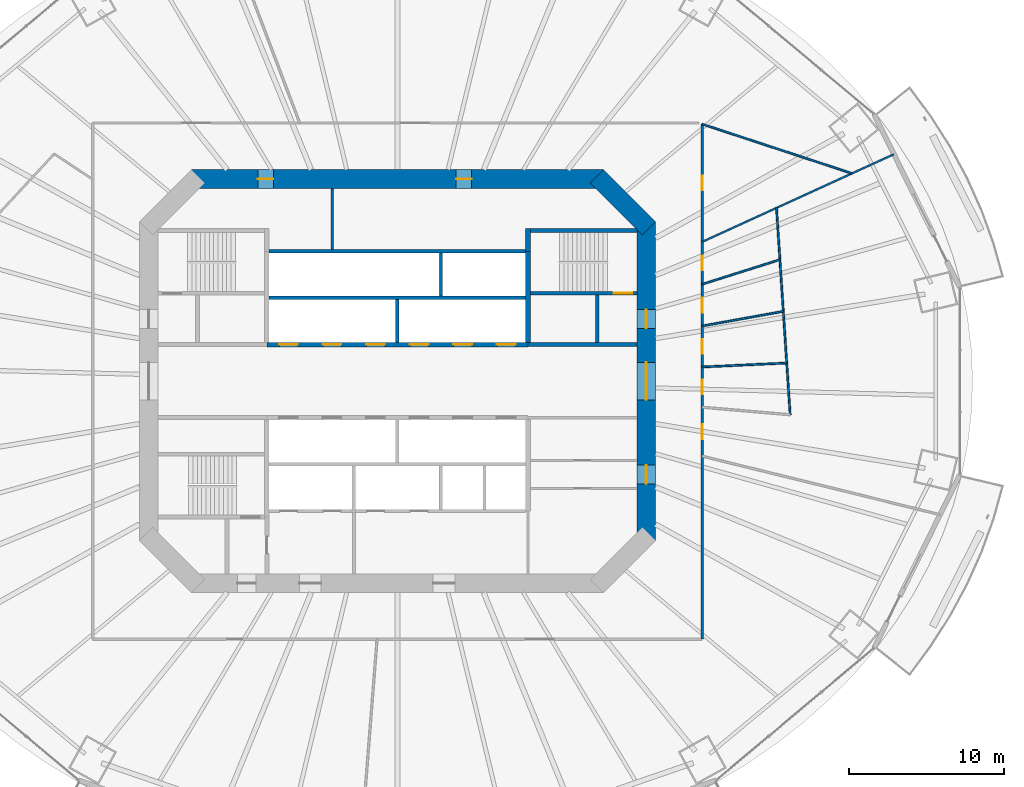
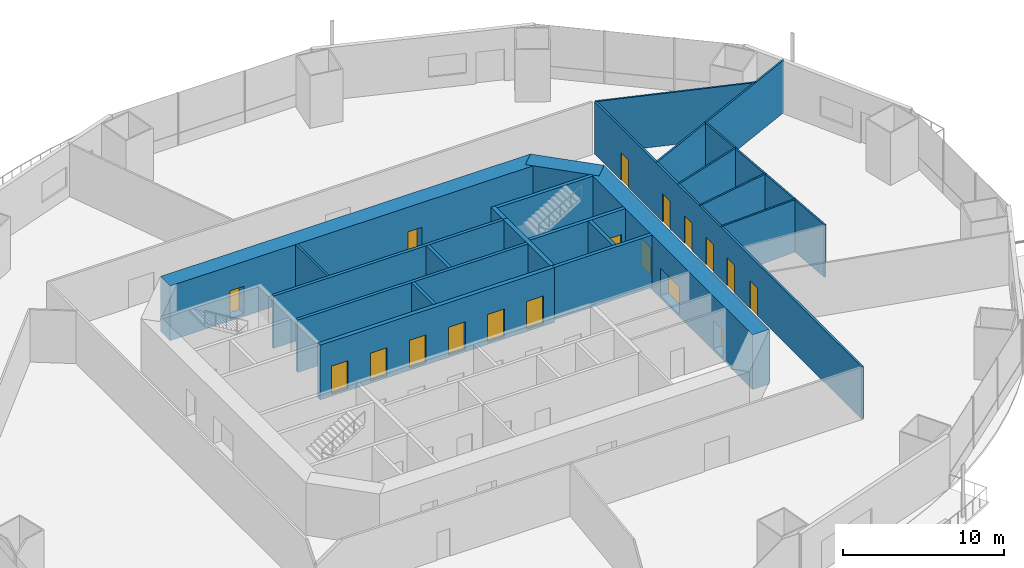
# One storey, part 16 of 23: 22 walls, 18 doors, 18 openings.
"""IFC4 building model written with IfcOpenShell, lengths in metres."""

from ifc_helpers import new_model, si_unit, direction, frame, frame_2d, origin, place, context, subcontext, project, spatial, rectangle, extrude, material, layer, layer_set, type_object, element, fill, save


model = new_model("IFC4")

# Units and contexts
model_context = context("Model", 3, precision=1e-05, world=origin(), true_north=direction((0.0, 1.0)))
body_context = subcontext(model_context, "Body", "Model", "MODEL_VIEW")
ifc_project = project(units=[si_unit("LENGTHUNIT", "METRE"), si_unit("AREAUNIT", "SQUARE_METRE"), si_unit("VOLUMEUNIT", "CUBIC_METRE"), si_unit("PLANEANGLEUNIT", "RADIAN"), si_unit("MASSUNIT", "GRAM", prefix="KILO")], contexts=[model_context])

# Site, building, storey
site_placement = place(None, origin())
site = spatial("IfcSite", under=ifc_project, at=site_placement, CompositionType="ELEMENT")
building_placement = place(site_placement, origin())
building = spatial("IfcBuilding", under=site, at=building_placement, Name="Marenthal Gate Tower", CompositionType="ELEMENT")
storey_placement = place(building_placement, frame((0.0, 0.0, 41.300048828125)))
storey = spatial("IfcBuildingStorey", under=building, at=storey_placement, Name="L06", CompositionType="ELEMENT", Elevation=41.300048828125)

# Wall, openings, doors
ifc_material_1 = material(Name="Concrete 60 MPa", Category="concrete")
ifc_layer_1 = layer(ifc_material_1, 1.199951171875)
ifc_layer_set_1 = layer_set([ifc_layer_1], Name="Core shear wall 1200")
wall_type_1 = type_object("IfcWallType", Name="Core shear wall 1200", PredefinedType="SHEAR", material=ifc_layer_set_1)
wall_1_placement = place(storey_placement, frame((16.0, -10.24853515625, -0.179931640625), z_axis=(0.0, 0.0, 1.0), x_axis=(0.0, 1.0, 0.0)))
wall_1 = element("IfcWall", 1, at=wall_1_placement, inside=storey, type_object=wall_type_1, Name="Core wall 02", PredefinedType="SHEAR", context=body_context, shape_type="SweptSolid", body=[
    extrude(rectangle(XDim=20.4970703125, YDim=1.199951171875, at=frame_2d((10.24853515625, 0.0))), origin(), (0.0, 0.0, 1.0), 4.14990234375),
])
opening_1_placement = place(wall_1_placement, frame((9.048583984375, 0.0, 0.179931640625)))
opening_1 = element("IfcOpeningElement", 2, at=opening_1_placement, cuts=wall_1, Name="Opening D003.02", PredefinedType="OPENING", context=body_context, shape_type="SweptSolid", body=[
    extrude(rectangle(XDim=2.39990234375, YDim=2.10009765625, at=frame_2d((1.199951171875, 1.050048828125))), frame((0.0, 0.60986328125, 0.0), z_axis=(0.0, -1.0, 0.0), x_axis=(1.0, 0.0, 0.0)), (0.0, 0.0, 1.0), 1.219970703125),
])
opening_2_placement = place(wall_1_placement, frame((13.6484375, 0.0, 0.179931640625)))
opening_2 = element("IfcOpeningElement", 3, at=opening_2_placement, cuts=wall_1, Name="Opening D001.05", PredefinedType="OPENING", context=body_context, shape_type="SweptSolid", body=[
    extrude(rectangle(XDim=1.199951171875, YDim=2.10009765625, at=frame_2d((0.60009765625, 1.050048828125))), frame((0.0, 0.60986328125, 0.0), z_axis=(0.0, -1.0, 0.0), x_axis=(1.0, 0.0, 0.0)), (0.0, 0.0, 1.0), 1.219970703125),
])
opening_3_placement = place(wall_1_placement, frame((3.6484375, 0.0, 0.179931640625)))
opening_3 = element("IfcOpeningElement", 4, at=opening_3_placement, cuts=wall_1, Name="Opening D006.01", PredefinedType="OPENING", context=body_context, shape_type="SweptSolid", body=[
    extrude(rectangle(XDim=1.199951171875, YDim=2.10009765625, at=frame_2d((0.60009765625, 1.050048828125))), frame((0.0, 0.60986328125, 0.0), z_axis=(0.0, -1.0, 0.0), x_axis=(1.0, 0.0, 0.0)), (0.0, 0.0, 1.0), 1.219970703125),
])
ifc_material_2 = material(Name="Steel fire door", Category="steel")
door_type_1 = type_object("IfcDoorType", Name="Double fire door FD 45 2400 x 2100", OperationType="DOUBLE_DOOR_SINGLE_SWING", PredefinedType="DOOR", material=ifc_material_2)
door_1_placement = place(opening_1_placement, origin())
door_1 = element("IfcDoor", 5, at=door_1_placement, inside=storey, type_object=door_type_1, Name="Door D003.02", OperationType="DOUBLE_DOOR_SINGLE_SWING", OverallHeight=2.10009765625, OverallWidth=2.39990234375, PredefinedType="DOOR", context=body_context, shape_type="SweptSolid", body=[
    extrude(rectangle(XDim=2.39990234375, YDim=2.10009765625, at=frame_2d((1.199951171875, 1.050048828125))), frame((0.0, 0.02490234375, 0.0), z_axis=(0.0, -1.0, 0.0), x_axis=(1.0, 0.0, 0.0)), (0.0, 0.0, 1.0), 0.050048828125),
])
fill(opening_1, door_1)
ifc_material_3 = material(Name="Steel fire door", Category="steel")
door_type_2 = type_object("IfcDoorType", Name="Fire door FD 45 1200 x 2100", OperationType="NOTDEFINED", PredefinedType="DOOR", material=ifc_material_3)
door_2_placement = place(opening_3_placement, origin())
door_2 = element("IfcDoor", 6, at=door_2_placement, inside=storey, type_object=door_type_2, Name="Door D006.01", OperationType="SINGLE_SWING_RIGHT", OverallHeight=2.10009765625, OverallWidth=1.199951171875, PredefinedType="DOOR", context=body_context, shape_type="SweptSolid", body=[
    extrude(rectangle(XDim=1.199951171875, YDim=2.10009765625, at=frame_2d((0.60009765625, 1.050048828125))), frame((0.0, 0.02490234375, 0.0), z_axis=(0.0, -1.0, 0.0), x_axis=(1.0, 0.0, 0.0)), (0.0, 0.0, 1.0), 0.050048828125),
])
fill(opening_3, door_2)
ifc_material_4 = material(Name="Steel fire door", Category="steel")
door_type_3 = type_object("IfcDoorType", Name="Fire door FD 90 1200 x 2100", OperationType="NOTDEFINED", PredefinedType="DOOR", material=ifc_material_4)
door_3_placement = place(opening_2_placement, origin())
door_3 = element("IfcDoor", 7, at=door_3_placement, inside=storey, type_object=door_type_3, Name="Door D001.05", OperationType="SINGLE_SWING_RIGHT", OverallHeight=2.10009765625, OverallWidth=1.199951171875, PredefinedType="DOOR", context=body_context, shape_type="SweptSolid", body=[
    extrude(rectangle(XDim=1.199951171875, YDim=2.10009765625, at=frame_2d((0.60009765625, 1.050048828125))), frame((0.0, 0.02490234375, 0.0), z_axis=(0.0, -1.0, 0.0), x_axis=(1.0, 0.0, 0.0)), (0.0, 0.0, 1.0), 0.050048828125),
])
fill(opening_2, door_3)

# Wall
wall_2_placement = place(storey_placement, frame((16.17578125, 9.82421875, -0.179931640625), z_axis=(0.0, 0.0, 1.0), x_axis=(-0.707106781187, 0.707106781187, 0.0)))
element("IfcWall", 8, at=wall_2_placement, inside=storey, type_object=wall_type_1, Name="Core wall 03", PredefinedType="SHEAR", context=body_context, shape_type="SweptSolid", body=[
    extrude(rectangle(XDim=4.73974609375, YDim=1.199951171875, at=frame_2d((2.369873046875, 0.0))), origin(), (0.0, 0.0, 1.0), 4.14990234375),
])

# Wall, openings, doors
wall_3_placement = place(storey_placement, frame((13.24853515625, 13.0, -0.179931640625), z_axis=(0.0, 0.0, 1.0), x_axis=(-1.0, 0.0, 0.0)))
wall_3 = element("IfcWall", 9, at=wall_3_placement, inside=storey, type_object=wall_type_1, Name="Core wall 04", PredefinedType="SHEAR", context=body_context, shape_type="SweptSolid", body=[
    extrude(rectangle(XDim=26.4970703125, YDim=1.199951171875, at=frame_2d((13.24853515625, 0.0))), origin(), (0.0, 0.0, 1.0), 4.14990234375),
])
opening_4_placement = place(wall_3_placement, frame((21.224609375, 0.0, 0.179931640625)))
opening_4 = element("IfcOpeningElement", 10, at=opening_4_placement, cuts=wall_3, Name="Opening D005.01", PredefinedType="OPENING", context=body_context, shape_type="SweptSolid", body=[
    extrude(rectangle(XDim=1.0, YDim=2.10009765625, at=frame_2d((0.5, 1.050048828125))), frame((0.0, 0.60986328125, 0.0), z_axis=(0.0, -1.0, 0.0), x_axis=(1.0, 0.0, 0.0)), (0.0, 0.0, 1.0), 1.219970703125),
])
opening_5_placement = place(wall_3_placement, frame((8.472412109375, 0.0, 0.179931640625)))
opening_5 = element("IfcOpeningElement", 11, at=opening_5_placement, cuts=wall_3, Name="Opening D005.02", PredefinedType="OPENING", context=body_context, shape_type="SweptSolid", body=[
    extrude(rectangle(XDim=1.0, YDim=2.10009765625, at=frame_2d((0.5, 1.050048828125))), frame((0.0, 0.60986328125, 0.0), z_axis=(0.0, -1.0, 0.0), x_axis=(1.0, 0.0, 0.0)), (0.0, 0.0, 1.0), 1.219970703125),
])
ifc_material_5 = material(Name="Steel fire door", Category="steel")
door_type_4 = type_object("IfcDoorType", Name="Fire door FD 45 1000 x 2100", OperationType="NOTDEFINED", PredefinedType="DOOR", material=ifc_material_5)
door_4_placement = place(opening_4_placement, origin())
door_4 = element("IfcDoor", 12, at=door_4_placement, inside=storey, type_object=door_type_4, Name="Door D005.01", OperationType="SINGLE_SWING_RIGHT", OverallHeight=2.10009765625, OverallWidth=1.0, PredefinedType="DOOR", context=body_context, shape_type="SweptSolid", body=[
    extrude(rectangle(XDim=1.0, YDim=2.10009765625, at=frame_2d((0.5, 1.050048828125))), frame((0.0, 0.02490234375, 0.0), z_axis=(0.0, -1.0, 0.0), x_axis=(1.0, 0.0, 0.0)), (0.0, 0.0, 1.0), 0.050048828125),
])
fill(opening_4, door_4)
door_5_placement = place(opening_5_placement, origin())
door_5 = element("IfcDoor", 13, at=door_5_placement, inside=storey, type_object=door_type_4, Name="Door D005.02", OperationType="SINGLE_SWING_RIGHT", OverallHeight=2.10009765625, OverallWidth=1.0, PredefinedType="DOOR", context=body_context, shape_type="SweptSolid", body=[
    extrude(rectangle(XDim=1.0, YDim=2.10009765625, at=frame_2d((0.5, 1.050048828125))), frame((0.0, 0.02490234375, 0.0), z_axis=(0.0, -1.0, 0.0), x_axis=(1.0, 0.0, 0.0)), (0.0, 0.0, 1.0), 0.050048828125),
])
fill(opening_5, door_5)

ifc_material_6 = material(Name="Concrete 50 MPa", Category="concrete")
ifc_layer_2 = layer(ifc_material_6, 0.300048828125)
ifc_layer_set_2 = layer_set([ifc_layer_2], Name="Hoistway shear wall 300")
wall_type_2 = type_object("IfcWallType", Name="Hoistway shear wall 300", PredefinedType="SHEAR", material=ifc_layer_set_2)
wall_4_placement = place(storey_placement, frame((-8.39990234375, 2.35009765625, -0.179931640625), z_axis=(0.0, 0.0, 1.0), x_axis=(1.0, 0.0, 0.0)))
wall_4 = element("IfcWall", 14, at=wall_4_placement, inside=storey, type_object=wall_type_2, Name="Hoistway wall 20", PredefinedType="SHEAR", context=body_context, shape_type="SweptSolid", body=[
    extrude(rectangle(XDim=16.7998046875, YDim=0.300048828125, at=frame_2d((8.39990234375, 0.0))), origin(), (0.0, 0.0, 1.0), 4.14990234375),
])
opening_6_placement = place(wall_4_placement, frame((0.800048828125, 0.0, 0.179931640625)))
opening_6 = element("IfcOpeningElement", 15, at=opening_6_placement, cuts=wall_4, Name="Opening LD-LP1", PredefinedType="OPENING", context=body_context, shape_type="SweptSolid", body=[
    extrude(rectangle(XDim=1.199951171875, YDim=2.10009765625, at=frame_2d((0.60009765625, 1.050048828125))), frame((0.0, 0.16015625, 0.0), z_axis=(0.0, -1.0, 0.0), x_axis=(1.0, 0.0, 0.0)), (0.0, 0.0, 1.0), 0.320068359375),
])
opening_7_placement = place(wall_4_placement, frame((3.60009765625, 0.0, 0.179931640625)))
opening_7 = element("IfcOpeningElement", 16, at=opening_7_placement, cuts=wall_4, Name="Opening LD-LP2", PredefinedType="OPENING", context=body_context, shape_type="SweptSolid", body=[
    extrude(rectangle(XDim=1.199951171875, YDim=2.10009765625, at=frame_2d((0.60009765625, 1.050048828125))), frame((0.0, 0.16015625, 0.0), z_axis=(0.0, -1.0, 0.0), x_axis=(1.0, 0.0, 0.0)), (0.0, 0.0, 1.0), 0.320068359375),
])
opening_8_placement = place(wall_4_placement, frame((6.39990234375, 0.0, 0.179931640625)))
opening_8 = element("IfcOpeningElement", 17, at=opening_8_placement, cuts=wall_4, Name="Opening LD-LP3", PredefinedType="OPENING", context=body_context, shape_type="SweptSolid", body=[
    extrude(rectangle(XDim=1.199951171875, YDim=2.10009765625, at=frame_2d((0.60009765625, 1.050048828125))), frame((0.0, 0.16015625, 0.0), z_axis=(0.0, -1.0, 0.0), x_axis=(1.0, 0.0, 0.0)), (0.0, 0.0, 1.0), 0.320068359375),
])
opening_9_placement = place(wall_4_placement, frame((9.199951171875, 0.0, 0.179931640625)))
opening_9 = element("IfcOpeningElement", 18, at=opening_9_placement, cuts=wall_4, Name="Opening LD-LP4", PredefinedType="OPENING", context=body_context, shape_type="SweptSolid", body=[
    extrude(rectangle(XDim=1.199951171875, YDim=2.10009765625, at=frame_2d((0.60009765625, 1.050048828125))), frame((0.0, 0.16015625, 0.0), z_axis=(0.0, -1.0, 0.0), x_axis=(1.0, 0.0, 0.0)), (0.0, 0.0, 1.0), 0.320068359375),
])
opening_10_placement = place(wall_4_placement, frame((12.0, 0.0, 0.179931640625)))
opening_10 = element("IfcOpeningElement", 19, at=opening_10_placement, cuts=wall_4, Name="Opening LD-LP5", PredefinedType="OPENING", context=body_context, shape_type="SweptSolid", body=[
    extrude(rectangle(XDim=1.199951171875, YDim=2.10009765625, at=frame_2d((0.60009765625, 1.050048828125))), frame((0.0, 0.16015625, 0.0), z_axis=(0.0, -1.0, 0.0), x_axis=(1.0, 0.0, 0.0)), (0.0, 0.0, 1.0), 0.320068359375),
])
opening_11_placement = place(wall_4_placement, frame((14.800048828125, 0.0, 0.179931640625)))
opening_11 = element("IfcOpeningElement", 20, at=opening_11_placement, cuts=wall_4, Name="Opening LD-LP6", PredefinedType="OPENING", context=body_context, shape_type="SweptSolid", body=[
    extrude(rectangle(XDim=1.199951171875, YDim=2.10009765625, at=frame_2d((0.60009765625, 1.050048828125))), frame((0.0, 0.16015625, 0.0), z_axis=(0.0, -1.0, 0.0), x_axis=(1.0, 0.0, 0.0)), (0.0, 0.0, 1.0), 0.320068359375),
])
ifc_material_7 = material(Name="Stainless steel sliding door", Category="steel")
door_type_5 = type_object("IfcDoorType", Name="Lift landing door FD 90 1200 x 2100", OperationType="DOUBLE_DOOR_SLIDING", PredefinedType="DOOR", material=ifc_material_7)
door_6_placement = place(opening_6_placement, origin())
door_6 = element("IfcDoor", 21, at=door_6_placement, inside=storey, type_object=door_type_5, Name="Lift landing door LP1", OperationType="DOUBLE_DOOR_SLIDING", OverallHeight=2.10009765625, OverallWidth=1.199951171875, PredefinedType="DOOR", context=body_context, shape_type="SweptSolid", body=[
    extrude(rectangle(XDim=1.199951171875, YDim=2.10009765625, at=frame_2d((0.60009765625, 1.050048828125))), frame((0.0, 0.02490234375, 0.0), z_axis=(0.0, -1.0, 0.0), x_axis=(1.0, 0.0, 0.0)), (0.0, 0.0, 1.0), 0.050048828125),
])
fill(opening_6, door_6)
door_7_placement = place(opening_7_placement, origin())
door_7 = element("IfcDoor", 22, at=door_7_placement, inside=storey, type_object=door_type_5, Name="Lift landing door LP2", OperationType="DOUBLE_DOOR_SLIDING", OverallHeight=2.10009765625, OverallWidth=1.199951171875, PredefinedType="DOOR", context=body_context, shape_type="SweptSolid", body=[
    extrude(rectangle(XDim=1.199951171875, YDim=2.10009765625, at=frame_2d((0.60009765625, 1.050048828125))), frame((0.0, 0.02490234375, 0.0), z_axis=(0.0, -1.0, 0.0), x_axis=(1.0, 0.0, 0.0)), (0.0, 0.0, 1.0), 0.050048828125),
])
fill(opening_7, door_7)
door_8_placement = place(opening_8_placement, origin())
door_8 = element("IfcDoor", 23, at=door_8_placement, inside=storey, type_object=door_type_5, Name="Lift landing door LP3", OperationType="DOUBLE_DOOR_SLIDING", OverallHeight=2.10009765625, OverallWidth=1.199951171875, PredefinedType="DOOR", context=body_context, shape_type="SweptSolid", body=[
    extrude(rectangle(XDim=1.199951171875, YDim=2.10009765625, at=frame_2d((0.60009765625, 1.050048828125))), frame((0.0, 0.02490234375, 0.0), z_axis=(0.0, -1.0, 0.0), x_axis=(1.0, 0.0, 0.0)), (0.0, 0.0, 1.0), 0.050048828125),
])
fill(opening_8, door_8)
door_9_placement = place(opening_9_placement, origin())
door_9 = element("IfcDoor", 24, at=door_9_placement, inside=storey, type_object=door_type_5, Name="Lift landing door LP4", OperationType="DOUBLE_DOOR_SLIDING", OverallHeight=2.10009765625, OverallWidth=1.199951171875, PredefinedType="DOOR", context=body_context, shape_type="SweptSolid", body=[
    extrude(rectangle(XDim=1.199951171875, YDim=2.10009765625, at=frame_2d((0.60009765625, 1.050048828125))), frame((0.0, 0.02490234375, 0.0), z_axis=(0.0, -1.0, 0.0), x_axis=(1.0, 0.0, 0.0)), (0.0, 0.0, 1.0), 0.050048828125),
])
fill(opening_9, door_9)
door_10_placement = place(opening_10_placement, origin())
door_10 = element("IfcDoor", 25, at=door_10_placement, inside=storey, type_object=door_type_5, Name="Lift landing door LP5", OperationType="DOUBLE_DOOR_SLIDING", OverallHeight=2.10009765625, OverallWidth=1.199951171875, PredefinedType="DOOR", context=body_context, shape_type="SweptSolid", body=[
    extrude(rectangle(XDim=1.199951171875, YDim=2.10009765625, at=frame_2d((0.60009765625, 1.050048828125))), frame((0.0, 0.02490234375, 0.0), z_axis=(0.0, -1.0, 0.0), x_axis=(1.0, 0.0, 0.0)), (0.0, 0.0, 1.0), 0.050048828125),
])
fill(opening_10, door_10)
door_11_placement = place(opening_11_placement, origin())
door_11 = element("IfcDoor", 26, at=door_11_placement, inside=storey, type_object=door_type_5, Name="Lift landing door LP6", OperationType="DOUBLE_DOOR_SLIDING", OverallHeight=2.10009765625, OverallWidth=1.199951171875, PredefinedType="DOOR", context=body_context, shape_type="SweptSolid", body=[
    extrude(rectangle(XDim=1.199951171875, YDim=2.10009765625, at=frame_2d((0.60009765625, 1.050048828125))), frame((0.0, 0.02490234375, 0.0), z_axis=(0.0, -1.0, 0.0), x_axis=(1.0, 0.0, 0.0)), (0.0, 0.0, 1.0), 0.050048828125),
])
fill(opening_11, door_11)

# Walls
wall_5_placement = place(storey_placement, frame((8.39990234375, 2.5, -0.179931640625), z_axis=(0.0, 0.0, 1.0), x_axis=(0.0, 1.0, 0.0)))
element("IfcWall", 27, at=wall_5_placement, inside=storey, type_object=wall_type_2, Name="Hoistway wall 44", PredefinedType="SHEAR", context=body_context, shape_type="SweptSolid", body=[
    extrude(rectangle(XDim=5.85009765625, YDim=0.300048828125, at=frame_2d((2.925048828125, 0.0))), origin(), (0.0, 0.0, 1.0), 4.14990234375),
])
ifc_material_8 = material(Name="Concrete 40 MPa", Category="concrete")
ifc_layer_3 = layer(ifc_material_8, 0.219970703125)
ifc_layer_set_3 = layer_set([ifc_layer_3], Name="Hoistway wall 220")
wall_type_3 = type_object("IfcWallType", Name="Hoistway wall 220", PredefinedType="STANDARD", material=ifc_layer_set_3)
for number, where, z_axis, x_axis, name in (
    (28, (-8.25, 5.35009765625, 0.0), (0.0, 0.0, 1.0), (1.0, 0.0, 0.0), "Hoistway wall 22"),
    (29, (-8.25, 8.35009765625, 0.0), (0.0, 0.0, 1.0), (1.0, 0.0, 0.0), "Hoistway wall 25"),
):
    element("IfcWall", number, at=place(storey_placement, frame(where, z_axis=z_axis, x_axis=x_axis)), inside=storey, type_object=wall_type_3, Name=name, PredefinedType="STANDARD", context=body_context, shape_type="SweptSolid", body=[
        extrude(rectangle(XDim=16.5, YDim=0.219970703125, at=frame_2d((8.25, 0.0))), origin(), (0.0, 0.0, 1.0), 3.969970703125),
    ])
wall_6_placement = place(storey_placement, frame((0.0, 2.5, 0.0), z_axis=(0.0, 0.0, 1.0), x_axis=(0.0, 1.0, 0.0)))
element("IfcWall", 30, at=wall_6_placement, inside=storey, type_object=wall_type_3, Name="Hoistway wall 38", PredefinedType="STANDARD", context=body_context, shape_type="SweptSolid", body=[
    extrude(rectangle(XDim=2.739990234375, YDim=0.219970703125, at=frame_2d((1.3701171875, 0.0))), origin(), (0.0, 0.0, 1.0), 3.969970703125),
])
wall_7_placement = place(storey_placement, frame((2.800048828125, 5.4599609375, 0.0), z_axis=(0.0, 0.0, 1.0), x_axis=(0.0, 1.0, 0.0)))
element("IfcWall", 31, at=wall_7_placement, inside=storey, type_object=wall_type_3, Name="Hoistway wall 40", PredefinedType="STANDARD", context=body_context, shape_type="SweptSolid", body=[
    extrude(rectangle(XDim=2.780029296875, YDim=0.219970703125, at=frame_2d((1.39013671875, 0.0))), origin(), (0.0, 0.0, 1.0), 3.969970703125),
])
ifc_material_9 = material(Name="Gypsum board on steel studs", Category="steel")
ifc_layer_4 = layer(ifc_material_9, 0.1201171875)
ifc_layer_set_4 = layer_set([ifc_layer_4], Name="Partition 120")
wall_type_4 = type_object("IfcWallType", Name="Partition 120", PredefinedType="PARTITIONING", material=ifc_layer_set_4)
wall_8_placement = place(storey_placement, frame((19.60009765625, 8.95703125, 0.0), z_axis=(0.0, 0.0, 1.0), x_axis=(0.909522905178, 0.415653804213, 0.0)))
element("IfcWall", 32, at=wall_8_placement, inside=storey, type_object=wall_type_4, Name="Partition wall 56", PredefinedType="PARTITIONING", context=body_context, shape_type="SweptSolid", body=[
    extrude(rectangle(XDim=13.559326171875, YDim=0.1201171875, at=frame_2d((6.77978515625, 0.0))), origin(), (0.0, 0.0, 1.0), 3.969970703125),
])
wall_9_placement = place(storey_placement, frame((24.599609375, 7.8154296875, 0.0), z_axis=(0.0, 0.0, 1.0), x_axis=(-0.95305649374, -0.302792535808, 0.0)))
element("IfcWall", 33, at=wall_9_placement, inside=storey, type_object=wall_type_4, Name="Partition wall 58", PredefinedType="PARTITIONING", context=body_context, shape_type="SweptSolid", body=[
    extrude(rectangle(XDim=5.245849609375, YDim=0.1201171875, at=frame_2d((2.623046875, 0.0))), origin(), (0.0, 0.0, 1.0), 3.969970703125),
])
wall_10_placement = place(storey_placement, frame((24.8193359375, 4.48974609375, 0.0), z_axis=(0.0, 0.0, 1.0), x_axis=(-0.984022736167, -0.178042845144, 0.0)))
element("IfcWall", 34, at=wall_10_placement, inside=storey, type_object=wall_type_4, Name="Partition wall 59", PredefinedType="PARTITIONING", context=body_context, shape_type="SweptSolid", body=[
    extrude(rectangle(XDim=5.303955078125, YDim=0.1201171875, at=frame_2d((2.65185546875, 0.0))), origin(), (0.0, 0.0, 1.0), 3.969970703125),
])
wall_11_placement = place(storey_placement, frame((25.0390625, 1.163818359375, 0.0), z_axis=(0.0, 0.0, 1.0), x_axis=(-0.998922552869, -0.046408332984, 0.0)))
element("IfcWall", 35, at=wall_11_placement, inside=storey, type_object=wall_type_4, Name="Partition wall 60", PredefinedType="PARTITIONING", context=body_context, shape_type="SweptSolid", body=[
    extrude(rectangle(XDim=5.44482421875, YDim=0.1201171875, at=frame_2d((2.722412109375, 0.0))), origin(), (0.0, 0.0, 1.0), 3.969970703125),
])
wall_12_placement = place(storey_placement, frame((25.2587890625, -2.161865234375, 0.0), z_axis=(0.0, 0.0, 1.0), x_axis=(-0.065941683727, 0.997823478551, 0.0)))
element("IfcWall", 36, at=wall_12_placement, inside=storey, type_object=wall_type_4, Name="Partition wall 61", PredefinedType="PARTITIONING", context=body_context, shape_type="SweptSolid", body=[
    extrude(rectangle(XDim=13.332275390625, YDim=0.1201171875, at=frame_2d((6.666015625, 0.0))), origin(), (0.0, 0.0, 1.0), 3.969970703125),
])
wall_13_placement = place(storey_placement, frame((29.233154296875, 13.359130859375, 0.0), z_axis=(0.0, 0.0, 1.0), x_axis=(-0.949784766096, 0.312903975834, 0.0)))
element("IfcWall", 37, at=wall_13_placement, inside=storey, type_object=wall_type_4, Name="Partition wall 63", PredefinedType="PARTITIONING", context=body_context, shape_type="SweptSolid", body=[
    extrude(rectangle(XDim=10.142333984375, YDim=0.1201171875, at=frame_2d((5.0712890625, 0.0))), origin(), (0.0, 0.0, 1.0), 3.969970703125),
])
ifc_material_10 = material(Name="Gypsum board on steel studs", Category="steel")
ifc_layer_5 = layer(ifc_material_10, 0.14990234375)
ifc_layer_set_5 = layer_set([ifc_layer_5], Name="Partition 150")
wall_type_5 = type_object("IfcWallType", Name="Partition 150", PredefinedType="PARTITIONING", material=ifc_layer_set_5)
wall_14_placement = place(storey_placement, frame((-4.199951171875, 8.4599609375, 0.0), z_axis=(0.0, 0.0, 1.0), x_axis=(0.0, 1.0, 0.0)))
element("IfcWall", 38, at=wall_14_placement, inside=storey, type_object=wall_type_5, Name="Partition wall 34", PredefinedType="PARTITIONING", context=body_context, shape_type="SweptSolid", body=[
    extrude(rectangle(XDim=3.93994140625, YDim=0.14990234375, at=frame_2d((1.969970703125, 0.0))), origin(), (0.0, 0.0, 1.0), 3.969970703125),
])

# Wall, openings, doors
wall_15_placement = place(storey_placement, frame((19.60009765625, 16.53271484375, 0.0), z_axis=(0.0, 0.0, 1.0), x_axis=(0.0, -1.0, 0.0)))
wall_15 = element("IfcWall", 39, at=wall_15_placement, inside=storey, type_object=wall_type_5, Name="Partition wall 57", PredefinedType="PARTITIONING", context=body_context, shape_type="SweptSolid", body=[
    extrude(rectangle(XDim=33.1328125, YDim=0.14990234375, at=frame_2d((16.56640625, 0.0))), origin(), (0.0, 0.0, 1.0), 3.969970703125),
])
opening_12_placement = place(wall_15_placement, frame((3.31298828125, 0.0, 0.0)))
opening_12 = element("IfcOpeningElement", 40, at=opening_12_placement, cuts=wall_15, Name="Opening D016.01", PredefinedType="OPENING", context=body_context, shape_type="SweptSolid", body=[
    extrude(rectangle(XDim=0.949951171875, YDim=2.10009765625, at=frame_2d((0.47509765625, 1.050048828125))), frame((0.0, 0.0849609375, 0.0), z_axis=(0.0, -1.0, 0.0), x_axis=(1.0, 0.0, 0.0)), (0.0, 0.0, 1.0), 0.169921875),
])
opening_13_placement = place(wall_15_placement, frame((16.44091796875, 0.0, 0.0)))
opening_13 = element("IfcOpeningElement", 41, at=opening_13_placement, cuts=wall_15, Name="Opening D016.03", PredefinedType="OPENING", context=body_context, shape_type="SweptSolid", body=[
    extrude(rectangle(XDim=0.949951171875, YDim=2.10009765625, at=frame_2d((0.47509765625, 1.050048828125))), frame((0.0, 0.0849609375, 0.0), z_axis=(0.0, -1.0, 0.0), x_axis=(1.0, 0.0, 0.0)), (0.0, 0.0, 1.0), 0.169921875),
])
opening_14_placement = place(wall_15_placement, frame((13.8291015625, 0.0, 0.0)))
opening_14 = element("IfcOpeningElement", 42, at=opening_14_placement, cuts=wall_15, Name="Opening D016.04", PredefinedType="OPENING", context=body_context, shape_type="SweptSolid", body=[
    extrude(rectangle(XDim=0.949951171875, YDim=2.10009765625, at=frame_2d((0.47509765625, 1.050048828125))), frame((0.0, 0.0849609375, 0.0), z_axis=(0.0, -1.0, 0.0), x_axis=(1.0, 0.0, 0.0)), (0.0, 0.0, 1.0), 0.169921875),
])
opening_15_placement = place(wall_15_placement, frame((11.1708984375, 0.0, 0.0)))
opening_15 = element("IfcOpeningElement", 43, at=opening_15_placement, cuts=wall_15, Name="Opening D016.05", PredefinedType="OPENING", context=body_context, shape_type="SweptSolid", body=[
    extrude(rectangle(XDim=0.949951171875, YDim=2.10009765625, at=frame_2d((0.47509765625, 1.050048828125))), frame((0.0, 0.0849609375, 0.0), z_axis=(0.0, -1.0, 0.0), x_axis=(1.0, 0.0, 0.0)), (0.0, 0.0, 1.0), 0.169921875),
])
opening_16_placement = place(wall_15_placement, frame((8.466064453125, 0.0, 0.0)))
opening_16 = element("IfcOpeningElement", 44, at=opening_16_placement, cuts=wall_15, Name="Opening D016.06", PredefinedType="OPENING", context=body_context, shape_type="SweptSolid", body=[
    extrude(rectangle(XDim=0.949951171875, YDim=2.10009765625, at=frame_2d((0.47509765625, 1.050048828125))), frame((0.0, 0.0849609375, 0.0), z_axis=(0.0, -1.0, 0.0), x_axis=(1.0, 0.0, 0.0)), (0.0, 0.0, 1.0), 0.169921875),
])
opening_17_placement = place(wall_15_placement, frame((19.30810546875, 0.0, 0.0)))
opening_17 = element("IfcOpeningElement", 45, at=opening_17_placement, cuts=wall_15, Name="Opening D016.07", PredefinedType="OPENING", context=body_context, shape_type="SweptSolid", body=[
    extrude(rectangle(XDim=0.949951171875, YDim=2.10009765625, at=frame_2d((0.47509765625, 1.050048828125))), frame((0.0, 0.0849609375, 0.0), z_axis=(0.0, -1.0, 0.0), x_axis=(1.0, 0.0, 0.0)), (0.0, 0.0, 1.0), 0.169921875),
])
ifc_material_11 = material(Name="Timber door", Category="wood")
door_type_6 = type_object("IfcDoorType", Name="Door 950 x 2100", OperationType="NOTDEFINED", PredefinedType="DOOR", material=ifc_material_11)
door_12_placement = place(opening_12_placement, origin())
door_12 = element("IfcDoor", 46, at=door_12_placement, inside=storey, type_object=door_type_6, Name="Door D016.01", OperationType="SINGLE_SWING_RIGHT", OverallHeight=2.10009765625, OverallWidth=0.949951171875, PredefinedType="DOOR", context=body_context, shape_type="SweptSolid", body=[
    extrude(rectangle(XDim=0.949951171875, YDim=2.10009765625, at=frame_2d((0.47509765625, 1.050048828125))), frame((0.0, 0.02490234375, 0.0), z_axis=(0.0, -1.0, 0.0), x_axis=(1.0, 0.0, 0.0)), (0.0, 0.0, 1.0), 0.050048828125),
])
fill(opening_12, door_12)
door_13_placement = place(opening_13_placement, origin())
door_13 = element("IfcDoor", 47, at=door_13_placement, inside=storey, type_object=door_type_6, Name="Door D016.03", OperationType="SINGLE_SWING_RIGHT", OverallHeight=2.10009765625, OverallWidth=0.949951171875, PredefinedType="DOOR", context=body_context, shape_type="SweptSolid", body=[
    extrude(rectangle(XDim=0.949951171875, YDim=2.10009765625, at=frame_2d((0.47509765625, 1.050048828125))), frame((0.0, 0.02490234375, 0.0), z_axis=(0.0, -1.0, 0.0), x_axis=(1.0, 0.0, 0.0)), (0.0, 0.0, 1.0), 0.050048828125),
])
fill(opening_13, door_13)
door_14_placement = place(opening_14_placement, origin())
door_14 = element("IfcDoor", 48, at=door_14_placement, inside=storey, type_object=door_type_6, Name="Door D016.04", OperationType="SINGLE_SWING_RIGHT", OverallHeight=2.10009765625, OverallWidth=0.949951171875, PredefinedType="DOOR", context=body_context, shape_type="SweptSolid", body=[
    extrude(rectangle(XDim=0.949951171875, YDim=2.10009765625, at=frame_2d((0.47509765625, 1.050048828125))), frame((0.0, 0.02490234375, 0.0), z_axis=(0.0, -1.0, 0.0), x_axis=(1.0, 0.0, 0.0)), (0.0, 0.0, 1.0), 0.050048828125),
])
fill(opening_14, door_14)
door_15_placement = place(opening_15_placement, origin())
door_15 = element("IfcDoor", 49, at=door_15_placement, inside=storey, type_object=door_type_6, Name="Door D016.05", OperationType="SINGLE_SWING_RIGHT", OverallHeight=2.10009765625, OverallWidth=0.949951171875, PredefinedType="DOOR", context=body_context, shape_type="SweptSolid", body=[
    extrude(rectangle(XDim=0.949951171875, YDim=2.10009765625, at=frame_2d((0.47509765625, 1.050048828125))), frame((0.0, 0.02490234375, 0.0), z_axis=(0.0, -1.0, 0.0), x_axis=(1.0, 0.0, 0.0)), (0.0, 0.0, 1.0), 0.050048828125),
])
fill(opening_15, door_15)
door_16_placement = place(opening_16_placement, origin())
door_16 = element("IfcDoor", 50, at=door_16_placement, inside=storey, type_object=door_type_6, Name="Door D016.06", OperationType="SINGLE_SWING_RIGHT", OverallHeight=2.10009765625, OverallWidth=0.949951171875, PredefinedType="DOOR", context=body_context, shape_type="SweptSolid", body=[
    extrude(rectangle(XDim=0.949951171875, YDim=2.10009765625, at=frame_2d((0.47509765625, 1.050048828125))), frame((0.0, 0.02490234375, 0.0), z_axis=(0.0, -1.0, 0.0), x_axis=(1.0, 0.0, 0.0)), (0.0, 0.0, 1.0), 0.050048828125),
])
fill(opening_16, door_16)
door_17_placement = place(opening_17_placement, origin())
door_17 = element("IfcDoor", 51, at=door_17_placement, inside=storey, type_object=door_type_6, Name="Door D016.07", OperationType="SINGLE_SWING_RIGHT", OverallHeight=2.10009765625, OverallWidth=0.949951171875, PredefinedType="DOOR", context=body_context, shape_type="SweptSolid", body=[
    extrude(rectangle(XDim=0.949951171875, YDim=2.10009765625, at=frame_2d((0.47509765625, 1.050048828125))), frame((0.0, 0.02490234375, 0.0), z_axis=(0.0, -1.0, 0.0), x_axis=(1.0, 0.0, 0.0)), (0.0, 0.0, 1.0), 0.050048828125),
])
fill(opening_17, door_17)

# Walls
ifc_material_12 = material(Name="Concrete 40 MPa", Category="concrete")
ifc_layer_6 = layer(ifc_material_12, 0.25)
ifc_layer_set_6 = layer_set([ifc_layer_6], Name="Stair enclosure wall 250")
wall_type_6 = type_object("IfcWallType", Name="Stair enclosure wall 250", PredefinedType="STANDARD", material=ifc_layer_set_6)
wall_16_placement = place(storey_placement, frame((8.39990234375, 2.35009765625, 0.0), z_axis=(0.0, 0.0, 1.0), x_axis=(1.0, 0.0, 0.0)))
element("IfcWall", 52, at=wall_16_placement, inside=storey, type_object=wall_type_6, Name="Stair wall 21", PredefinedType="STANDARD", context=body_context, shape_type="SweptSolid", body=[
    extrude(rectangle(XDim=7.0, YDim=0.25, at=frame_2d((3.5, 0.0))), origin(), (0.0, 0.0, 1.0), 3.969970703125),
])
wall_17_placement = place(storey_placement, frame((12.85009765625, 2.47509765625, 0.0), z_axis=(0.0, 0.0, 1.0), x_axis=(0.0, 1.0, 0.0)))
element("IfcWall", 53, at=wall_17_placement, inside=storey, type_object=wall_type_6, Name="Stair wall 46", PredefinedType="STANDARD", context=body_context, shape_type="SweptSolid", body=[
    extrude(rectangle(XDim=3.0498046875, YDim=0.25, at=frame_2d((1.52490234375, 0.0))), origin(), (0.0, 0.0, 1.0), 3.969970703125),
])

# Wall, opening, door
ifc_material_13 = material(Name="Concrete 50 MPa", Category="concrete")
ifc_layer_7 = layer(ifc_material_13, 0.25)
ifc_layer_set_7 = layer_set([ifc_layer_7], Name="Stair shear wall 250")
wall_type_7 = type_object("IfcWallType", Name="Stair shear wall 250", PredefinedType="SHEAR", material=ifc_layer_set_7)
wall_18_placement = place(storey_placement, frame((8.550048828125, 5.64990234375, -0.179931640625), z_axis=(0.0, 0.0, 1.0), x_axis=(1.0, 0.0, 0.0)))
wall_18 = element("IfcWall", 54, at=wall_18_placement, inside=storey, type_object=wall_type_7, Name="Stair wall 24", PredefinedType="SHEAR", context=body_context, shape_type="SweptSolid", body=[
    extrude(rectangle(XDim=6.849853515625, YDim=0.25, at=frame_2d((3.4248046875, 0.0))), origin(), (0.0, 0.0, 1.0), 4.14990234375),
])
opening_18_placement = place(wall_18_placement, frame((5.35009765625, 0.0, 0.179931640625)))
opening_18 = element("IfcOpeningElement", 55, at=opening_18_placement, cuts=wall_18, Name="Opening D001.02", PredefinedType="OPENING", context=body_context, shape_type="SweptSolid", body=[
    extrude(rectangle(XDim=1.199951171875, YDim=2.10009765625, at=frame_2d((0.60009765625, 1.050048828125))), frame((0.0, 0.135009765625, 0.0), z_axis=(0.0, -1.0, 0.0), x_axis=(1.0, 0.0, 0.0)), (0.0, 0.0, 1.0), 0.27001953125),
])
door_18_placement = place(opening_18_placement, origin())
door_18 = element("IfcDoor", 56, at=door_18_placement, inside=storey, type_object=door_type_3, Name="Door D001.02", OperationType="SINGLE_SWING_RIGHT", OverallHeight=2.10009765625, OverallWidth=1.199951171875, PredefinedType="DOOR", context=body_context, shape_type="SweptSolid", body=[
    extrude(rectangle(XDim=1.199951171875, YDim=2.10009765625, at=frame_2d((0.60009765625, 1.050048828125))), frame((0.0, 0.02490234375, 0.0), z_axis=(0.0, -1.0, 0.0), x_axis=(1.0, 0.0, 0.0)), (0.0, 0.0, 1.0), 0.050048828125),
])
fill(opening_18, door_18)

# Walls
wall_19_placement = place(storey_placement, frame((8.550048828125, 9.699951171875, -0.179931640625), z_axis=(0.0, 0.0, 1.0), x_axis=(1.0, 0.0, 0.0)))
element("IfcWall", 57, at=wall_19_placement, inside=storey, type_object=wall_type_7, Name="Stair wall 27", PredefinedType="SHEAR", context=body_context, shape_type="SweptSolid", body=[
    extrude(rectangle(XDim=6.849853515625, YDim=0.25, at=frame_2d((3.4248046875, 0.0))), origin(), (0.0, 0.0, 1.0), 4.14990234375),
])
ifc_material_14 = material(Name="Concrete 50 MPa", Category="concrete")
ifc_layer_8 = layer(ifc_material_14, 0.300048828125)
ifc_layer_set_8 = layer_set([ifc_layer_8], Name="Stair shear wall 300")
wall_type_8 = type_object("IfcWallType", Name="Stair shear wall 300", PredefinedType="SHEAR", material=ifc_layer_set_8)
wall_20_placement = place(storey_placement, frame((8.39990234375, 8.35009765625, -0.179931640625), z_axis=(0.0, 0.0, 1.0), x_axis=(0.0, 1.0, 0.0)))
element("IfcWall", 58, at=wall_20_placement, inside=storey, type_object=wall_type_8, Name="Stair wall 45", PredefinedType="SHEAR", context=body_context, shape_type="SweptSolid", body=[
    extrude(rectangle(XDim=1.474853515625, YDim=0.300048828125, at=frame_2d((0.7373046875, 0.0))), origin(), (0.0, 0.0, 1.0), 4.14990234375),
])

save(model, "model.ifc")
